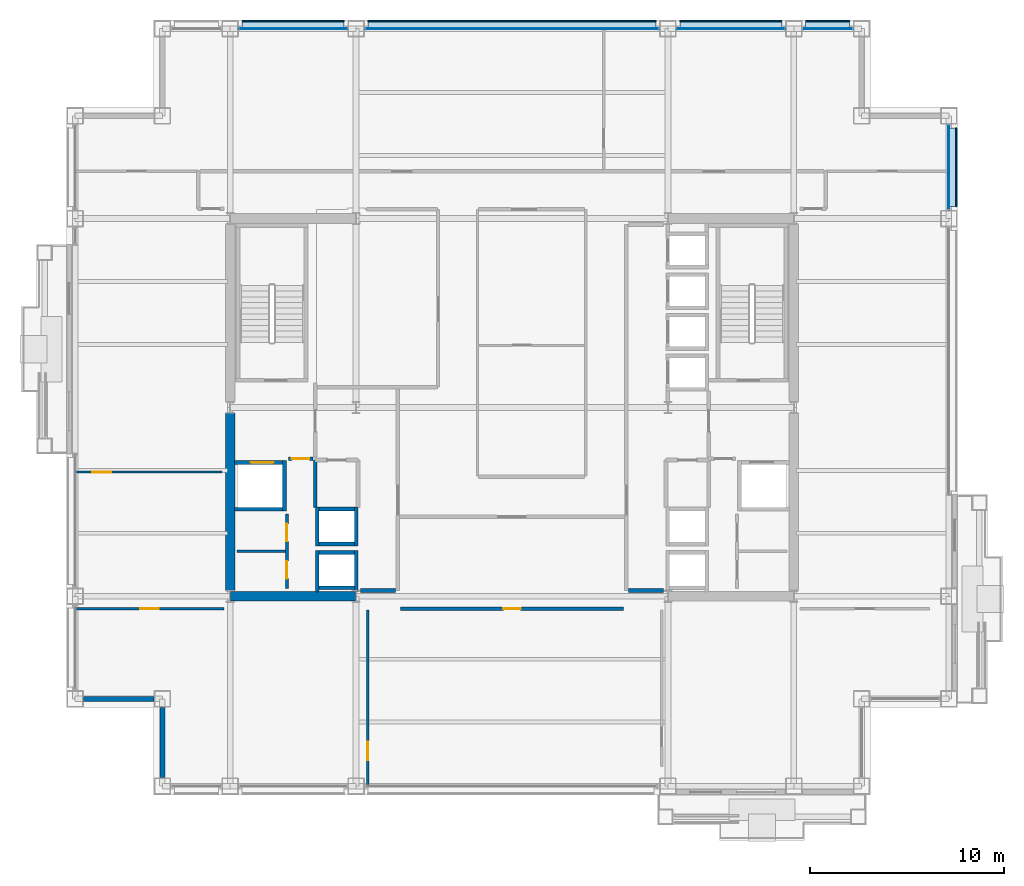
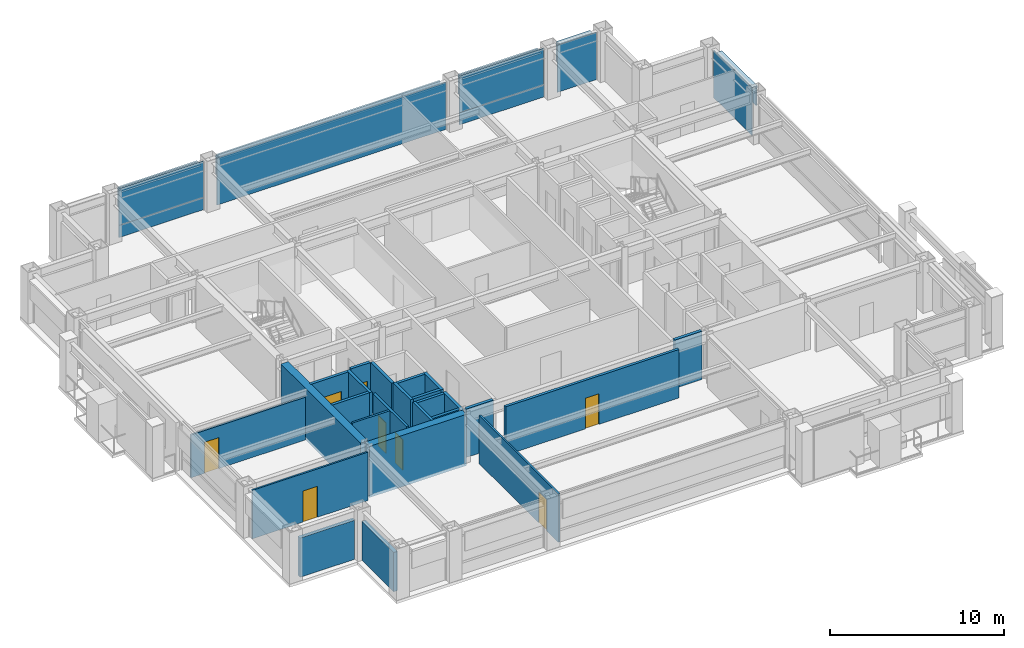
# One storey, part 23 of 29: 25 walls, 17 plates, 8 doors, 8 openings, 5 elements without a shape of their own.
"""IFC4 building model written with IfcOpenShell, lengths in metres."""

from ifc_helpers import new_model, si_unit, direction, frame, frame_2d, origin, origin_2d, place, context, subcontext, project, spatial, rectangle, extrude, material, layer, layer_set, type_object, element, fill, aggregate, save


model = new_model("IFC4")

# Units and contexts
model_context = context("Model", 3, precision=1e-05, world=origin(), true_north=direction((0.0, 1.0)))
body_context = subcontext(model_context, "Body", "Model", "MODEL_VIEW")
ifc_project = project(units=[si_unit("LENGTHUNIT", "METRE"), si_unit("AREAUNIT", "SQUARE_METRE"), si_unit("VOLUMEUNIT", "CUBIC_METRE"), si_unit("PLANEANGLEUNIT", "RADIAN"), si_unit("MASSUNIT", "GRAM", prefix="KILO")], contexts=[model_context])

# Site, building, storey
site_placement = place(None, origin())
site = spatial("IfcSite", under=ifc_project, at=site_placement, CompositionType="ELEMENT")
building_placement = place(site_placement, origin())
building = spatial("IfcBuilding", under=site, at=building_placement, Name="Brelmoor Portico Tower", CompositionType="ELEMENT")
storey_placement = place(building_placement, frame((0.0, 0.0, 95.39990234375)))
storey = spatial("IfcBuildingStorey", under=building, at=storey_placement, Name="L24", CompositionType="ELEMENT", Elevation=95.39990234375)

# Curtain wall, plate
ifc_material_1 = material(Name="Anodised Aluminium Alloy 6063-T6", Category="aluminium")
ifc_layer_1 = layer(ifc_material_1, 0.179931640625)
ifc_layer_set_1 = layer_set([ifc_layer_1], Name="Anodised Aluminium Alloy 6063-T6")
curtain_wall_type_1 = type_object("IfcCurtainWallType", Name="CW-TOWER-Z2", PredefinedType="NOTDEFINED", material=ifc_layer_set_1)
curtain_wall_1_placement = place(storey_placement, origin())
curtain_wall_1 = element("IfcCurtainWall", 1, at=curtain_wall_1_placement, inside=storey, type_object=curtain_wall_type_1, Name="L24 Curtain Wall CW-L24-02-2", PredefinedType="NOTDEFINED")
ifc_material_2 = material(Name="Double-Silver Low-E Insulated Glazing", Category="glass")
ifc_layer_2 = layer(ifc_material_2, 0.035888671875)
ifc_layer_set_2 = layer_set([ifc_layer_2], Name="Double-Silver Low-E Insulated Glazing")
plate_type_1 = type_object("IfcPlateType", Name="PT-CW-GLASS", PredefinedType="CURTAIN_PANEL", material=ifc_layer_set_2)
plate_1_placement = place(storey_placement, frame((-11.300048828125, 19.550048828125, 0.85009765625), z_axis=(0.0, 0.0, 1.0), x_axis=(1.0, 0.0, 0.0)))
plate_1 = element("IfcPlate", 2, at=plate_1_placement, type_object=plate_type_1, Name="CW-L24-02-2 Vision Glass Panel 00", PredefinedType="CURTAIN_PANEL", context=body_context, shape_type="SweptSolid", body=[
    extrude(rectangle(XDim=5.60009765625, YDim=0.035888671875, at=origin_2d()), origin(), (0.0, 0.0, 1.0), 2.550048828125),
])

curtain_wall_2_placement = place(storey_placement, origin())
curtain_wall_2 = element("IfcCurtainWall", 3, at=curtain_wall_2_placement, inside=storey, type_object=curtain_wall_type_1, Name="L24 Curtain Wall CW-L24-02-4", PredefinedType="NOTDEFINED")
plate_2_placement = place(storey_placement, frame((11.300048828125, 19.550048828125, 0.85009765625), z_axis=(0.0, 0.0, 1.0), x_axis=(1.0, 0.0, 0.0)))
plate_2 = element("IfcPlate", 4, at=plate_2_placement, type_object=plate_type_1, Name="CW-L24-02-4 Vision Glass Panel 00", PredefinedType="CURTAIN_PANEL", context=body_context, shape_type="SweptSolid", body=[
    extrude(rectangle(XDim=5.60009765625, YDim=0.035888671875, at=origin_2d()), origin(), (0.0, 0.0, 1.0), 2.550048828125),
])

# Plate
ifc_material_3 = material(Name="Pale Champagne Anodised Aluminium Panel", Category="aluminium")
ifc_layer_3 = layer(ifc_material_3, 0.050048828125)
ifc_layer_set_3 = layer_set([ifc_layer_3], Name="Pale Champagne Anodised Aluminium Panel")
plate_type_2 = type_object("IfcPlateType", Name="PT-CW-SPANDREL", PredefinedType="SHEET", material=ifc_layer_set_3)
plate_3_placement = place(storey_placement, frame((-11.300048828125, 19.550048828125, 0.0), z_axis=(0.0, 0.0, 1.0), x_axis=(1.0, 0.0, 0.0)))
plate_3 = element("IfcPlate", 5, at=plate_3_placement, type_object=plate_type_2, Name="CW-L24-02-2 Spandrel Panel 00", PredefinedType="SHEET", context=body_context, shape_type="SweptSolid", body=[
    extrude(rectangle(XDim=5.60009765625, YDim=0.050048828125, at=origin_2d()), origin(), (0.0, 0.0, 1.0), 0.85009765625),
])

aggregate(curtain_wall_1, [plate_3, plate_1])

# Curtain wall, plate
ifc_layer_4 = layer(ifc_material_1, 0.179931640625)
ifc_layer_set_4 = layer_set([ifc_layer_4], Name="Anodised Aluminium Alloy 6063-T6")
curtain_wall_type_2 = type_object("IfcCurtainWallType", Name="CW-TOWER-Z2-XB", PredefinedType="NOTDEFINED", material=ifc_layer_set_4)
curtain_wall_3_placement = place(storey_placement, origin())
curtain_wall_3 = element("IfcCurtainWall", 6, at=curtain_wall_3_placement, inside=storey, type_object=curtain_wall_type_2, Name="L24 Curtain Wall CW-L24-02-3", PredefinedType="NOTDEFINED")
plate_4_placement = place(storey_placement, frame((0.0, 19.550048828125, 0.0), z_axis=(0.0, 0.0, 1.0), x_axis=(1.0, 0.0, 0.0)))
plate_4 = element("IfcPlate", 7, at=plate_4_placement, type_object=plate_type_2, Name="CW-L24-02-3 Spandrel Panel 00", PredefinedType="SHEET", context=body_context, shape_type="SweptSolid", body=[
    extrude(rectangle(XDim=15.199951171875, YDim=0.050048828125, at=origin_2d()), origin(), (0.0, 0.0, 1.0), 3.330078125),
])
aggregate(curtain_wall_3, [plate_4])

# Plate
plate_5_placement = place(storey_placement, frame((11.300048828125, 19.550048828125, 0.0), z_axis=(0.0, 0.0, 1.0), x_axis=(1.0, 0.0, 0.0)))
plate_5 = element("IfcPlate", 8, at=plate_5_placement, type_object=plate_type_2, Name="CW-L24-02-4 Spandrel Panel 00", PredefinedType="SHEET", context=body_context, shape_type="SweptSolid", body=[
    extrude(rectangle(XDim=5.60009765625, YDim=0.050048828125, at=origin_2d()), origin(), (0.0, 0.0, 1.0), 0.85009765625),
])

aggregate(curtain_wall_2, [plate_5, plate_2])

# Curtain wall, plate
curtain_wall_4_placement = place(storey_placement, origin())
curtain_wall_4 = element("IfcCurtainWall", 9, at=curtain_wall_4_placement, inside=storey, type_object=curtain_wall_type_2, Name="L24 Curtain Wall CW-L24-02-5", PredefinedType="NOTDEFINED")
plate_6_placement = place(storey_placement, frame((16.300048828125, 19.550048828125, 0.0), z_axis=(0.0, 0.0, 1.0), x_axis=(1.0, 0.0, 0.0)))
plate_6 = element("IfcPlate", 10, at=plate_6_placement, type_object=plate_type_2, Name="CW-L24-02-5 Spandrel Panel 00", PredefinedType="SHEET", context=body_context, shape_type="SweptSolid", body=[
    extrude(rectangle(XDim=2.60009765625, YDim=0.050048828125, at=origin_2d()), origin(), (0.0, 0.0, 1.0), 3.330078125),
])
aggregate(curtain_wall_4, [plate_6])

curtain_wall_5_placement = place(storey_placement, origin())
curtain_wall_5 = element("IfcCurtainWall", 11, at=curtain_wall_5_placement, inside=storey, type_object=curtain_wall_type_2, Name="L24 Curtain Wall CW-L24-4R-2", PredefinedType="NOTDEFINED")
plate_7_placement = place(storey_placement, frame((22.550048828125, 12.39990234375, 0.0), z_axis=(0.0, 0.0, 1.0), x_axis=(0.0, 1.0, 0.0)))
plate_7 = element("IfcPlate", 12, at=plate_7_placement, type_object=plate_type_2, Name="CW-L24-4R-2 Spandrel Panel 00", PredefinedType="SHEET", context=body_context, shape_type="SweptSolid", body=[
    extrude(rectangle(XDim=4.39990234375, YDim=0.050048828125, at=origin_2d()), origin(), (0.0, 0.0, 1.0), 3.330078125),
])
aggregate(curtain_wall_5, [plate_7])

# Plates
ifc_material_4 = material(Name="Powder-Coated Aluminium Shuttered Jalousie Louvre", Category="aluminium")
ifc_layer_5 = layer(ifc_material_4, 0.06005859375)
ifc_layer_set_5 = layer_set([ifc_layer_5], Name="Powder-Coated Aluminium Shuttered Jalousie Louvre")
plate_type_3 = type_object("IfcPlateType", Name="PT-JALOUSIE-SHUTTER", PredefinedType="SHEET", material=ifc_layer_set_5)
plate_8_placement = place(storey_placement, frame((-11.300048828125, 19.929931640625, 1.8740234375), z_axis=(0.0, 0.0, 1.0), x_axis=(1.0, 0.0, 0.0)))
element("IfcPlate", 13, at=plate_8_placement, inside=storey, type_object=plate_type_3, Name="CW-L24-02-2 Perforated Jalousie Solar Screen", PredefinedType="SHEET", context=body_context, shape_type="SweptSolid", body=[
    extrude(rectangle(XDim=5.27001953125, YDim=0.06494140625, at=origin_2d()), origin(), (0.0, 0.0, 1.0), 1.325927734375),
])
plate_9_placement = place(storey_placement, frame((0.0, 19.929931640625, 1.8740234375), z_axis=(0.0, 0.0, 1.0), x_axis=(1.0, 0.0, 0.0)))
element("IfcPlate", 14, at=plate_9_placement, inside=storey, type_object=plate_type_3, Name="CW-L24-02-3 Perforated Jalousie Solar Screen", PredefinedType="SHEET", context=body_context, shape_type="SweptSolid", body=[
    extrude(rectangle(XDim=14.8701171875, YDim=0.06494140625, at=origin_2d()), origin(), (0.0, 0.0, 1.0), 1.325927734375),
])
plate_10_placement = place(storey_placement, frame((11.300048828125, 19.929931640625, 1.8740234375), z_axis=(0.0, 0.0, 1.0), x_axis=(1.0, 0.0, 0.0)))
element("IfcPlate", 15, at=plate_10_placement, inside=storey, type_object=plate_type_3, Name="CW-L24-02-4 Perforated Jalousie Solar Screen", PredefinedType="SHEET", context=body_context, shape_type="SweptSolid", body=[
    extrude(rectangle(XDim=5.27001953125, YDim=0.06494140625, at=origin_2d()), origin(), (0.0, 0.0, 1.0), 1.325927734375),
])
plate_11_placement = place(storey_placement, frame((16.300048828125, 19.929931640625, 1.8740234375), z_axis=(0.0, 0.0, 1.0), x_axis=(1.0, 0.0, 0.0)))
element("IfcPlate", 16, at=plate_11_placement, inside=storey, type_object=plate_type_3, Name="CW-L24-02-5 Perforated Jalousie Solar Screen", PredefinedType="SHEET", context=body_context, shape_type="SweptSolid", body=[
    extrude(rectangle(XDim=2.27001953125, YDim=0.06494140625, at=origin_2d()), origin(), (0.0, 0.0, 1.0), 1.325927734375),
])
plate_12_placement = place(storey_placement, frame((22.929931640625, 12.39990234375, 1.8740234375), z_axis=(0.0, 0.0, 1.0), x_axis=(0.0, 1.0, 0.0)))
element("IfcPlate", 17, at=plate_12_placement, inside=storey, type_object=plate_type_3, Name="CW-L24-4R-2 Perforated Jalousie Solar Screen", PredefinedType="SHEET", context=body_context, shape_type="SweptSolid", body=[
    extrude(rectangle(XDim=4.070068359375, YDim=0.06494140625, at=origin_2d()), origin(), (0.0, 0.0, 1.0), 1.325927734375),
])
ifc_material_5 = material(Name="Pale Champagne Perforated Aluminium Solar Screen", Category="aluminium")
ifc_layer_6 = layer(ifc_material_5, 0.054931640625)
ifc_layer_set_6 = layer_set([ifc_layer_6], Name="Pale Champagne Perforated Aluminium Solar Screen")
plate_type_4 = type_object("IfcPlateType", Name="PT-SOLAR-LOUVRE", PredefinedType="SHEET", material=ifc_layer_set_6)
plate_13_placement = place(storey_placement, frame((-11.300048828125, 19.760009765625, 3.09033203125), z_axis=(0.0, 0.0, 1.0), x_axis=(1.0, 0.0, 0.0)))
element("IfcPlate", 18, at=plate_13_placement, inside=storey, type_object=plate_type_4, Name="CW-L24-02-2 Caribbean Brise-Soleil Solar Screen", PredefinedType="SHEET", context=body_context, shape_type="SweptSolid", body=[
    extrude(rectangle(XDim=5.27001953125, YDim=0.4599609375, at=origin_2d()), origin(), (0.0, 0.0, 1.0), 0.139892578125),
])
plate_14_placement = place(storey_placement, frame((0.0, 19.760009765625, 3.09033203125), z_axis=(0.0, 0.0, 1.0), x_axis=(1.0, 0.0, 0.0)))
element("IfcPlate", 19, at=plate_14_placement, inside=storey, type_object=plate_type_4, Name="CW-L24-02-3 Caribbean Brise-Soleil Solar Screen", PredefinedType="SHEET", context=body_context, shape_type="SweptSolid", body=[
    extrude(rectangle(XDim=14.8701171875, YDim=0.4599609375, at=origin_2d()), origin(), (0.0, 0.0, 1.0), 0.139892578125),
])
plate_15_placement = place(storey_placement, frame((11.300048828125, 19.760009765625, 3.09033203125), z_axis=(0.0, 0.0, 1.0), x_axis=(1.0, 0.0, 0.0)))
element("IfcPlate", 20, at=plate_15_placement, inside=storey, type_object=plate_type_4, Name="CW-L24-02-4 Caribbean Brise-Soleil Solar Screen", PredefinedType="SHEET", context=body_context, shape_type="SweptSolid", body=[
    extrude(rectangle(XDim=5.27001953125, YDim=0.4599609375, at=origin_2d()), origin(), (0.0, 0.0, 1.0), 0.139892578125),
])
plate_16_placement = place(storey_placement, frame((16.300048828125, 19.760009765625, 3.09033203125), z_axis=(0.0, 0.0, 1.0), x_axis=(1.0, 0.0, 0.0)))
element("IfcPlate", 21, at=plate_16_placement, inside=storey, type_object=plate_type_4, Name="CW-L24-02-5 Caribbean Brise-Soleil Solar Screen", PredefinedType="SHEET", context=body_context, shape_type="SweptSolid", body=[
    extrude(rectangle(XDim=2.27001953125, YDim=0.4599609375, at=origin_2d()), origin(), (0.0, 0.0, 1.0), 0.139892578125),
])
plate_17_placement = place(storey_placement, frame((22.760009765625, 12.39990234375, 3.09033203125), z_axis=(0.0, 0.0, 1.0), x_axis=(0.0, 1.0, 0.0)))
element("IfcPlate", 22, at=plate_17_placement, inside=storey, type_object=plate_type_4, Name="CW-L24-4R-2 Caribbean Brise-Soleil Solar Screen", PredefinedType="SHEET", context=body_context, shape_type="SweptSolid", body=[
    extrude(rectangle(XDim=4.070068359375, YDim=0.4599609375, at=origin_2d()), origin(), (0.0, 0.0, 1.0), 0.139892578125),
])

# Walls
ifc_material_6 = material(Name="Concrete C60", Category="concrete")
ifc_layer_7 = layer(ifc_material_6, 0.5)
ifc_layer_set_7 = layer_set([ifc_layer_7], Name="Concrete C60")
wall_type_1 = type_object("IfcWallType", Name="WL-CORE-500", PredefinedType="SHEAR", material=ifc_layer_set_7)
wall_1_placement = place(storey_placement, frame((-14.530029296875, -9.75, -0.199951171875), z_axis=(0.0, 0.0, 1.0), x_axis=(1.0, 0.0, 0.0)))
element("IfcWall", 23, at=wall_1_placement, inside=storey, type_object=wall_type_1, Name="L24 WC South Shear Wall", PredefinedType="SHEAR", context=body_context, shape_type="SweptSolid", body=[
    extrude(rectangle(XDim=6.4599609375, YDim=0.5, at=frame_2d((3.22998046875, 0.0))), origin(), (0.0, 0.0, 1.0), 3.60009765625),
])
wall_2_placement = place(storey_placement, frame((-14.550048828125, -9.449951171875, -0.199951171875), z_axis=(0.0, 0.0, 1.0), x_axis=(0.0, 1.0, 0.0)))
element("IfcWall", 24, at=wall_2_placement, inside=storey, type_object=wall_type_1, Name="L24 WC Outer South Shear Wall", PredefinedType="SHEAR", context=body_context, shape_type="SweptSolid", body=[
    extrude(rectangle(XDim=9.14990234375, YDim=0.5, at=frame_2d((4.574951171875, 0.0))), origin(), (0.0, 0.0, 1.0), 3.60009765625),
])
ifc_material_7 = material(Name="Precast Concrete C40 Insulated Facade Wall", Category="concrete")
ifc_layer_8 = layer(ifc_material_7, 0.25)
ifc_layer_set_8 = layer_set([ifc_layer_8], Name="Precast Concrete C40 Insulated Facade Wall")
wall_type_2 = type_object("IfcWallType", Name="WL-EXT-250", PredefinedType="STANDARD", material=ifc_layer_set_8)
for number, where, z_axis, x_axis, name in (
    (25, (-22.114990234375, -15.050048828125, 0.0), (0.0, 0.0, 1.0), (1.0, 0.0, 0.0), "L24 Corner Notch Facade Wall NSWH1"),
    (26, (-18.050048828125, -19.114990234375, 0.0), (0.0, 0.0, 1.0), (0.0, 1.0, 0.0), "L24 Corner Notch Facade Wall NSWV1"),
):
    element("IfcWall", number, at=place(storey_placement, frame(where, z_axis=z_axis, x_axis=x_axis)), inside=storey, type_object=wall_type_2, Name=name, PredefinedType="STANDARD", context=body_context, shape_type="SweptSolid", body=[
        extrude(rectangle(XDim=3.6298828125, YDim=0.25, at=frame_2d((1.81494140625, 0.0))), origin(), (0.0, 0.0, 1.0), 2.75),
    ])

# Wall, opening, door
ifc_material_8 = material(Name="Lightweight Gypsum Office Partition", Category="gypsum")
ifc_layer_9 = layer(ifc_material_8, 0.1201171875)
ifc_layer_set_9 = layer_set([ifc_layer_9], Name="Lightweight Gypsum Office Partition")
wall_type_3 = type_object("IfcWallType", Name="WL-PART-120", PredefinedType="PARTITIONING", material=ifc_layer_set_9)
wall_3_placement = place(storey_placement, frame((-7.4404296875, -19.56005859375, 0.0), z_axis=(0.0, 0.0, 1.0), x_axis=(0.0, 1.0, 0.0)))
wall_3 = element("IfcWall", 27, at=wall_3_placement, inside=storey, type_object=wall_type_3, Name="L24 South Suite Partition 1", PredefinedType="PARTITIONING", context=body_context, shape_type="SweptSolid", body=[
    extrude(rectangle(XDim=9.10009765625, YDim=0.1201171875, at=frame_2d((4.550048828125, 0.0))), origin(), (0.0, 0.0, 1.0), 3.400146484375),
])
opening_1_placement = place(wall_3_placement, frame((1.340087890625, 0.0, 0.0)))
opening_1 = element("IfcOpeningElement", 28, at=opening_1_placement, cuts=wall_3, Name="Opening D-IN2", PredefinedType="OPENING", context=body_context, shape_type="SweptSolid", body=[
    extrude(rectangle(XDim=0.9599609375, YDim=2.179931640625, at=frame_2d((0.47998046875, 1.08984375))), frame((0.0, 0.070068359375, 0.0), z_axis=(0.0, -1.0, 0.0), x_axis=(1.0, 0.0, 0.0)), (0.0, 0.0, 1.0), 0.14013671875),
])
ifc_material_9 = material(Name="Lacquered Timber Suite Door", Category="wood")
door_type_1 = type_object("IfcDoorType", Name="DR-INT-950", OperationType="NOTDEFINED", PredefinedType="DOOR", material=ifc_material_9)
door_1_placement = place(opening_1_placement, origin())
door_1 = element("IfcDoor", 29, at=door_1_placement, inside=storey, type_object=door_type_1, Name="D-1074 L24 South Suite Connecting Door 1", OperationType="SINGLE_SWING_RIGHT", OverallHeight=2.179931640625, OverallWidth=0.9599609375, PredefinedType="DOOR", context=body_context, shape_type="SweptSolid", body=[
    extrude(rectangle(XDim=0.9599609375, YDim=2.179931640625, at=frame_2d((0.47998046875, 1.08984375))), frame((0.0, 0.02490234375, 0.0), z_axis=(0.0, -1.0, 0.0), x_axis=(1.0, 0.0, 0.0)), (0.0, 0.0, 1.0), 0.050048828125),
])
fill(opening_1, door_1)

wall_4_placement = place(storey_placement, frame((-22.56005859375, -10.39990234375, 0.0), z_axis=(0.0, 0.0, 1.0), x_axis=(1.0, 0.0, 0.0)))
wall_4 = element("IfcWall", 30, at=wall_4_placement, inside=storey, type_object=wall_type_3, Name="L24 South Wing Closure WL", PredefinedType="PARTITIONING", context=body_context, shape_type="SweptSolid", body=[
    extrude(rectangle(XDim=7.68017578125, YDim=0.1201171875, at=frame_2d((3.840087890625, 0.0))), origin(), (0.0, 0.0, 1.0), 3.400146484375),
])
opening_2_placement = place(wall_4_placement, frame((3.360107421875, 0.0, 0.0)))
opening_2 = element("IfcOpeningElement", 31, at=opening_2_placement, cuts=wall_4, Name="Opening D-IN2", PredefinedType="OPENING", context=body_context, shape_type="SweptSolid", body=[
    extrude(rectangle(XDim=0.9599609375, YDim=2.179931640625, at=frame_2d((0.47998046875, 1.08984375))), frame((0.0, 0.070068359375, 0.0), z_axis=(0.0, -1.0, 0.0), x_axis=(1.0, 0.0, 0.0)), (0.0, 0.0, 1.0), 0.14013671875),
])
door_2_placement = place(opening_2_placement, origin())
door_2 = element("IfcDoor", 32, at=door_2_placement, inside=storey, type_object=door_type_1, Name="D-1079 L24 WL Wing South Suite Door", OperationType="SINGLE_SWING_LEFT", OverallHeight=2.179931640625, OverallWidth=0.9599609375, PredefinedType="DOOR", context=body_context, shape_type="SweptSolid", body=[
    extrude(rectangle(XDim=0.9599609375, YDim=2.179931640625, at=frame_2d((0.47998046875, 1.08984375))), frame((0.0, 0.02490234375, 0.0), z_axis=(0.0, -1.0, 0.0), x_axis=(1.0, 0.0, 0.0)), (0.0, 0.0, 1.0), 0.050048828125),
])
fill(opening_2, door_2)

wall_5_placement = place(storey_placement, frame((-22.56005859375, -3.33642578125, 0.0), z_axis=(0.0, 0.0, 1.0), x_axis=(1.0, 0.0, 0.0)))
wall_5 = element("IfcWall", 33, at=wall_5_placement, inside=storey, type_object=wall_type_3, Name="L24 W Wing Partition 1", PredefinedType="PARTITIONING", context=body_context, shape_type="SweptSolid", body=[
    extrude(rectangle(XDim=7.60009765625, YDim=0.1201171875, at=frame_2d((3.800048828125, 0.0))), origin(), (0.0, 0.0, 1.0), 3.0),
])
opening_3_placement = place(wall_5_placement, frame((0.89990234375, 0.0, 0.0)))
opening_3 = element("IfcOpeningElement", 34, at=opening_3_placement, cuts=wall_5, Name="Opening D-IN2", PredefinedType="OPENING", context=body_context, shape_type="SweptSolid", body=[
    extrude(rectangle(XDim=0.9599609375, YDim=2.179931640625, at=frame_2d((0.47998046875, 1.08984375))), frame((0.0, 0.070068359375, 0.0), z_axis=(0.0, -1.0, 0.0), x_axis=(1.0, 0.0, 0.0)), (0.0, 0.0, 1.0), 0.14013671875),
])
door_3_placement = place(opening_3_placement, origin())
door_3 = element("IfcDoor", 35, at=door_3_placement, inside=storey, type_object=door_type_1, Name="D-1085 L24 W Wing Suite Connecting Door 1", OperationType="SINGLE_SWING_RIGHT", OverallHeight=2.179931640625, OverallWidth=0.9599609375, PredefinedType="DOOR", context=body_context, shape_type="SweptSolid", body=[
    extrude(rectangle(XDim=0.9599609375, YDim=2.179931640625, at=frame_2d((0.47998046875, 1.08984375))), frame((0.0, 0.02490234375, 0.0), z_axis=(0.0, -1.0, 0.0), x_axis=(1.0, 0.0, 0.0)), (0.0, 0.0, 1.0), 0.050048828125),
])
fill(opening_3, door_3)

# Wall
ifc_material_10 = material(Name="Insulated Stud Suite Partition", Category="gypsum")
ifc_layer_10 = layer(ifc_material_10, 0.139892578125)
ifc_layer_set_10 = layer_set([ifc_layer_10], Name="Insulated Stud Suite Partition")
wall_type_4 = type_object("IfcWallType", Name="WL-PART-140", PredefinedType="PARTITIONING", material=ifc_layer_set_10)
wall_6_placement = place(storey_placement, frame((-11.699951171875, -7.425048828125, 0.0), z_axis=(0.0, 0.0, 1.0), x_axis=(-1.0, 0.0, 0.0)))
element("IfcWall", 36, at=wall_6_placement, inside=storey, type_object=wall_type_4, Name="L24 W Core WC Divider 1", PredefinedType="PARTITIONING", context=body_context, shape_type="SweptSolid", body=[
    extrude(rectangle(XDim=2.5, YDim=0.139892578125, at=frame_2d((1.25, 0.0))), origin(), (0.0, 0.0, 1.0), 3.400146484375),
])

# Wall, openings, doors
ifc_material_11 = material(Name="Twin-Frame Acoustic Partition", Category="gypsum")
ifc_layer_11 = layer(ifc_material_11, 0.159912109375)
ifc_layer_set_11 = layer_set([ifc_layer_11], Name="Twin-Frame Acoustic Partition")
wall_type_5 = type_object("IfcWallType", Name="WL-PART-160", PredefinedType="PARTITIONING", material=ifc_layer_set_11)
wall_7_placement = place(storey_placement, frame((-11.6201171875, -9.35009765625, 0.0), z_axis=(0.0, 0.0, 1.0), x_axis=(0.0, 1.0, 0.0)))
wall_7 = element("IfcWall", 37, at=wall_7_placement, inside=storey, type_object=wall_type_5, Name="L24 W Core Service Front Wall", PredefinedType="PARTITIONING", context=body_context, shape_type="SweptSolid", body=[
    extrude(rectangle(XDim=3.85009765625, YDim=0.159912109375, at=frame_2d((1.925048828125, 0.0))), origin(), (0.0, 0.0, 1.0), 3.400146484375),
])
opening_4_placement = place(wall_7_placement, frame((0.512451171875, 0.0, 0.0)))
opening_4 = element("IfcOpeningElement", 38, at=opening_4_placement, cuts=wall_7, Name="Opening D-IN1", PredefinedType="OPENING", context=body_context, shape_type="SweptSolid", body=[
    extrude(rectangle(XDim=0.89990234375, YDim=2.14990234375, at=frame_2d((0.449951171875, 1.074951171875))), frame((0.0, 0.08984375, 0.0), z_axis=(0.0, -1.0, 0.0), x_axis=(1.0, 0.0, 0.0)), (0.0, 0.0, 1.0), 0.179931640625),
])
opening_5_placement = place(wall_7_placement, frame((2.4375, 0.0, 0.0)))
opening_5 = element("IfcOpeningElement", 39, at=opening_5_placement, cuts=wall_7, Name="Opening D-IN1", PredefinedType="OPENING", context=body_context, shape_type="SweptSolid", body=[
    extrude(rectangle(XDim=0.89990234375, YDim=2.14990234375, at=frame_2d((0.449951171875, 1.074951171875))), frame((0.0, 0.08984375, 0.0), z_axis=(0.0, -1.0, 0.0), x_axis=(1.0, 0.0, 0.0)), (0.0, 0.0, 1.0), 0.179931640625),
])
door_type_2 = type_object("IfcDoorType", Name="DR-INT-900", OperationType="NOTDEFINED", PredefinedType="DOOR", material=ifc_material_9)
door_4_placement = place(opening_4_placement, origin())
door_4 = element("IfcDoor", 40, at=door_4_placement, inside=storey, type_object=door_type_2, Name="D-1059 L24 W Accessible WC Door", OperationType="SINGLE_SWING_LEFT", OverallHeight=2.14990234375, OverallWidth=0.89990234375, PredefinedType="DOOR", context=body_context, shape_type="SweptSolid", body=[
    extrude(rectangle(XDim=0.89990234375, YDim=2.14990234375, at=frame_2d((0.449951171875, 1.074951171875))), frame((0.0, 0.02490234375, 0.0), z_axis=(0.0, -1.0, 0.0), x_axis=(1.0, 0.0, 0.0)), (0.0, 0.0, 1.0), 0.050048828125),
])
fill(opening_4, door_4)
door_5_placement = place(opening_5_placement, origin())
door_5 = element("IfcDoor", 41, at=door_5_placement, inside=storey, type_object=door_type_2, Name="D-1060 L24 W Staff WC Door", OperationType="SINGLE_SWING_RIGHT", OverallHeight=2.14990234375, OverallWidth=0.89990234375, PredefinedType="DOOR", context=body_context, shape_type="SweptSolid", body=[
    extrude(rectangle(XDim=0.89990234375, YDim=2.14990234375, at=frame_2d((0.449951171875, 1.074951171875))), frame((0.0, 0.02490234375, 0.0), z_axis=(0.0, -1.0, 0.0), x_axis=(1.0, 0.0, 0.0)), (0.0, 0.0, 1.0), 0.050048828125),
])
fill(opening_5, door_5)

# Wall, opening, door
ifc_material_12 = material(Name="Acoustic Corridor Fire Partition", Category="gypsum")
ifc_layer_12 = layer(ifc_material_12, 0.179931640625)
ifc_layer_set_12 = layer_set([ifc_layer_12], Name="Acoustic Corridor Fire Partition")
wall_type_6 = type_object("IfcWallType", Name="WL-PART-180", PredefinedType="PARTITIONING", material=ifc_layer_set_12)
wall_8_placement = place(storey_placement, frame((-5.75, -10.39990234375, 0.0), z_axis=(0.0, 0.0, 1.0), x_axis=(1.0, 0.0, 0.0)))
wall_8 = element("IfcWall", 42, at=wall_8_placement, inside=storey, type_object=wall_type_6, Name="L24 South Corridor Partition", PredefinedType="PARTITIONING", context=body_context, shape_type="SweptSolid", body=[
    extrude(rectangle(XDim=11.5, YDim=0.179931640625, at=frame_2d((5.75, 0.0))), origin(), (0.0, 0.0, 1.0), 3.400146484375),
])
opening_6_placement = place(wall_8_placement, frame((5.300048828125, 0.0, 0.0)))
opening_6 = element("IfcOpeningElement", 43, at=opening_6_placement, cuts=wall_8, Name="Opening D-IN1", PredefinedType="OPENING", context=body_context, shape_type="SweptSolid", body=[
    extrude(rectangle(XDim=0.89990234375, YDim=2.14990234375, at=frame_2d((0.449951171875, 1.074951171875))), frame((0.0, 0.099853515625, 0.0), z_axis=(0.0, -1.0, 0.0), x_axis=(1.0, 0.0, 0.0)), (0.0, 0.0, 1.0), 0.199951171875),
])
door_6_placement = place(opening_6_placement, origin())
door_6 = element("IfcDoor", 44, at=door_6_placement, inside=storey, type_object=door_type_2, Name="D-1073 L24 South Open-Plan Office 2 Door", OperationType="SINGLE_SWING_RIGHT", OverallHeight=2.14990234375, OverallWidth=0.89990234375, PredefinedType="DOOR", context=body_context, shape_type="SweptSolid", body=[
    extrude(rectangle(XDim=0.89990234375, YDim=2.14990234375, at=frame_2d((0.449951171875, 1.074951171875))), frame((0.0, 0.02490234375, 0.0), z_axis=(0.0, -1.0, 0.0), x_axis=(1.0, 0.0, 0.0)), (0.0, 0.0, 1.0), 0.050048828125),
])
fill(opening_6, door_6)

# Wall
ifc_material_13 = material(Name="Double-Stud Gypsum Fire Partition", Category="gypsum")
ifc_layer_13 = layer(ifc_material_13, 0.199951171875)
ifc_layer_set_13 = layer_set([ifc_layer_13], Name="Double-Stud Gypsum Fire Partition")
wall_type_7 = type_object("IfcWallType", Name="WL-PART-200", PredefinedType="PARTITIONING", material=ifc_layer_set_13)
wall_9_placement = place(storey_placement, frame((-6.02001953125, -9.449951171875, 0.0), z_axis=(0.0, 0.0, 1.0), x_axis=(-1.0, 0.0, 0.0)))
element("IfcWall", 45, at=wall_9_placement, inside=storey, type_object=wall_type_7, Name="L24 W Lift Lobby South End Wall", PredefinedType="PARTITIONING", context=body_context, shape_type="SweptSolid", body=[
    extrude(rectangle(XDim=1.800048828125, YDim=0.199951171875, at=frame_2d((0.89990234375, 0.0))), origin(), (0.0, 0.0, 1.0), 3.400146484375),
])

# Wall, opening, door
wall_10_placement = place(storey_placement, frame((-10.280029296875, -2.64990234375, 0.0), z_axis=(0.0, 0.0, 1.0), x_axis=(-1.0, 0.0, 0.0)))
wall_10 = element("IfcWall", 46, at=wall_10_placement, inside=storey, type_object=wall_type_7, Name="L24 W Firefighting Lobby South Wall", PredefinedType="PARTITIONING", context=body_context, shape_type="SweptSolid", body=[
    extrude(rectangle(XDim=1.27001953125, YDim=0.199951171875, at=frame_2d((0.635009765625, 0.0))), origin(), (0.0, 0.0, 1.0), 3.400146484375),
])
opening_7_placement = place(wall_10_placement, frame((0.18505859375, 0.0, 0.0)))
opening_7 = element("IfcOpeningElement", 47, at=opening_7_placement, cuts=wall_10, Name="Opening D-IN1", PredefinedType="OPENING", context=body_context, shape_type="SweptSolid", body=[
    extrude(rectangle(XDim=0.89990234375, YDim=2.14990234375, at=frame_2d((0.449951171875, 1.074951171875))), frame((0.0, 0.10986328125, 0.0), z_axis=(0.0, -1.0, 0.0), x_axis=(1.0, 0.0, 0.0)), (0.0, 0.0, 1.0), 0.219970703125),
])
door_7_placement = place(opening_7_placement, origin())
door_7 = element("IfcDoor", 48, at=door_7_placement, inside=storey, type_object=door_type_2, Name="D-1058 L24 W Core Service Vestibule Door", OperationType="SINGLE_SWING_LEFT", OverallHeight=2.14990234375, OverallWidth=0.89990234375, PredefinedType="DOOR", context=body_context, shape_type="SweptSolid", body=[
    extrude(rectangle(XDim=0.89990234375, YDim=2.14990234375, at=frame_2d((0.449951171875, 1.074951171875))), frame((0.0, 0.02490234375, 0.0), z_axis=(0.0, -1.0, 0.0), x_axis=(1.0, 0.0, 0.0)), (0.0, 0.0, 1.0), 0.050048828125),
])
fill(opening_7, door_7)

# Walls
wall_11_placement = place(storey_placement, frame((-10.159912109375, -5.159912109375, 0.0), z_axis=(0.0, 0.0, 1.0), x_axis=(0.0, 1.0, 0.0)))
element("IfcWall", 49, at=wall_11_placement, inside=storey, type_object=wall_type_7, Name="L24 W Electrical Switchgear Closet Outer Wall", PredefinedType="PARTITIONING", context=body_context, shape_type="SweptSolid", body=[
    extrude(rectangle(XDim=2.43994140625, YDim=0.199951171875, at=frame_2d((1.219970703125, 0.0))), origin(), (0.0, 0.0, 1.0), 3.400146484375),
])
wall_12_placement = place(storey_placement, frame((6.02001953125, -9.449951171875, 0.0), z_axis=(0.0, 0.0, 1.0), x_axis=(1.0, 0.0, 0.0)))
element("IfcWall", 50, at=wall_12_placement, inside=storey, type_object=wall_type_7, Name="L24 E Lift Lobby South End Wall", PredefinedType="PARTITIONING", context=body_context, shape_type="SweptSolid", body=[
    extrude(rectangle(XDim=1.800048828125, YDim=0.199951171875, at=frame_2d((0.89990234375, 0.0))), origin(), (0.0, 0.0, 1.0), 3.400146484375),
])
ifc_material_14 = material(Name="Precast Concrete C40", Category="concrete")
ifc_layer_14 = layer(ifc_material_14, 0.18994140625)
ifc_layer_set_14 = layer_set([ifc_layer_14], Name="Precast Concrete C40")
wall_type_8 = type_object("IfcWallType", Name="WL-SHAFT-180", PredefinedType="SOLIDWALL", material=ifc_layer_set_14)
for number, where, z_axis, x_axis, name in (
    (51, (-8.044921875, -9.52001953125, -0.199951171875), (0.0, 0.0, 1.0), (0.0, 1.0, 0.0), "L24 Lift PH1 Hoistway Front Wall"),
    (52, (-10.054931640625, -9.52001953125, -0.199951171875), (0.0, 0.0, 1.0), (0.0, 1.0, 0.0), "L24 Lift PH1 Hoistway Back Wall"),
):
    element("IfcWall", number, at=place(storey_placement, frame(where, z_axis=z_axis, x_axis=x_axis)), inside=storey, type_object=wall_type_8, Name=name, PredefinedType="SOLIDWALL", context=body_context, shape_type="SweptSolid", body=[
        extrude(rectangle(XDim=2.1201171875, YDim=0.18994140625, at=frame_2d((1.06005859375, 0.0))), origin(), (0.0, 0.0, 1.0), 3.60009765625),
    ])
for number, where, z_axis, x_axis, name in (
    (53, (-10.14990234375, -7.4951171875, -0.199951171875), (0.0, 0.0, 1.0), (1.0, 0.0, 0.0), "L24 Lift PH1 Hoistway North Wall"),
    (54, (-10.14990234375, -9.304931640625, -0.199951171875), (0.0, 0.0, 1.0), (1.0, 0.0, 0.0), "L24 Lift PH1 Hoistway South Wall"),
):
    element("IfcWall", number, at=place(storey_placement, frame(where, z_axis=z_axis, x_axis=x_axis)), inside=storey, type_object=wall_type_8, Name=name, PredefinedType="SOLIDWALL", context=body_context, shape_type="SweptSolid", body=[
        extrude(rectangle(XDim=2.199951171875, YDim=0.18994140625, at=frame_2d((1.10009765625, 0.0))), origin(), (0.0, 0.0, 1.0), 3.60009765625),
    ])
for number, where, z_axis, x_axis, name in (
    (55, (-8.044921875, -7.14990234375, -0.199951171875), (0.0, 0.0, 1.0), (0.0, 1.0, 0.0), "L24 Lift PH2 Hoistway Front Wall"),
    (56, (-10.054931640625, -7.14990234375, -0.199951171875), (0.0, 0.0, 1.0), (0.0, 1.0, 0.0), "L24 Lift PH2 Hoistway Back Wall"),
):
    element("IfcWall", number, at=place(storey_placement, frame(where, z_axis=z_axis, x_axis=x_axis)), inside=storey, type_object=wall_type_8, Name=name, PredefinedType="SOLIDWALL", context=body_context, shape_type="SweptSolid", body=[
        extrude(rectangle(XDim=2.0, YDim=0.18994140625, at=frame_2d((1.0, 0.0))), origin(), (0.0, 0.0, 1.0), 3.60009765625),
    ])
for number, where, z_axis, x_axis, name in (
    (57, (-10.14990234375, -5.2451171875, -0.199951171875), (0.0, 0.0, 1.0), (1.0, 0.0, 0.0), "L24 Lift PH2 Hoistway North Wall"),
    (58, (-10.14990234375, -7.054931640625, -0.199951171875), (0.0, 0.0, 1.0), (1.0, 0.0, 0.0), "L24 Lift PH2 Hoistway South Wall"),
):
    element("IfcWall", number, at=place(storey_placement, frame(where, z_axis=z_axis, x_axis=x_axis)), inside=storey, type_object=wall_type_8, Name=name, PredefinedType="SOLIDWALL", context=body_context, shape_type="SweptSolid", body=[
        extrude(rectangle(XDim=2.199951171875, YDim=0.18994140625, at=frame_2d((1.10009765625, 0.0))), origin(), (0.0, 0.0, 1.0), 3.60009765625),
    ])

# Wall, opening, door
wall_13_placement = place(storey_placement, frame((-14.330078125, -2.844970703125, -0.199951171875), z_axis=(0.0, 0.0, 1.0), x_axis=(1.0, 0.0, 0.0)))
wall_13 = element("IfcWall", 59, at=wall_13_placement, inside=storey, type_object=wall_type_8, Name="L24 Lift FF1 Hoistway Front Wall", PredefinedType="SOLIDWALL", context=body_context, shape_type="SweptSolid", body=[
    extrude(rectangle(XDim=2.68017578125, YDim=0.18994140625, at=frame_2d((1.340087890625, 0.0))), origin(), (0.0, 0.0, 1.0), 3.60009765625),
])
opening_8_placement = place(wall_13_placement, frame((0.830078125, 0.0, 0.199951171875)))
opening_8 = element("IfcOpeningElement", 60, at=opening_8_placement, cuts=wall_13, Name="Opening LD-02", PredefinedType="OPENING", context=body_context, shape_type="SweptSolid", body=[
    extrude(rectangle(XDim=1.199951171875, YDim=2.199951171875, at=frame_2d((0.60009765625, 1.10009765625))), frame((0.0, 0.10498046875, 0.0), z_axis=(0.0, -1.0, 0.0), x_axis=(1.0, 0.0, 0.0)), (0.0, 0.0, 1.0), 0.2099609375),
])
ifc_material_15 = material(Name="Brushed Stainless Steel Firefighting Lift Door", Category="steel")
door_type_3 = type_object("IfcDoorType", Name="DR-LIFT-1200", OperationType="NOTDEFINED", PredefinedType="DOOR", material=ifc_material_15)
door_8_placement = place(opening_8_placement, origin())
door_8 = element("IfcDoor", 61, at=door_8_placement, inside=storey, type_object=door_type_3, Name="D-1086 L24 Lift FF1 Sliding Landing Door", OperationType="SLIDING_TO_LEFT", OverallHeight=2.199951171875, OverallWidth=1.199951171875, PredefinedType="DOOR", context=body_context, shape_type="SweptSolid", body=[
    extrude(rectangle(XDim=1.199951171875, YDim=2.199951171875, at=frame_2d((0.60009765625, 1.10009765625))), frame((0.0, 0.02490234375, 0.0), z_axis=(0.0, -1.0, 0.0), x_axis=(1.0, 0.0, 0.0)), (0.0, 0.0, 1.0), 0.050048828125),
])
fill(opening_8, door_8)

# Walls
wall_14_placement = place(storey_placement, frame((-14.330078125, -5.2548828125, -0.199951171875), z_axis=(0.0, 0.0, 1.0), x_axis=(1.0, 0.0, 0.0)))
element("IfcWall", 62, at=wall_14_placement, inside=storey, type_object=wall_type_8, Name="L24 Firefighting Lift FF1 South Wall", PredefinedType="SOLIDWALL", context=body_context, shape_type="SweptSolid", body=[
    extrude(rectangle(XDim=2.68017578125, YDim=0.18994140625, at=frame_2d((1.340087890625, 0.0))), origin(), (0.0, 0.0, 1.0), 3.60009765625),
])
wall_15_placement = place(storey_placement, frame((-11.7451171875, -5.35009765625, -0.199951171875), z_axis=(0.0, 0.0, 1.0), x_axis=(0.0, 1.0, 0.0)))
element("IfcWall", 63, at=wall_15_placement, inside=storey, type_object=wall_type_8, Name="L24 Firefighting Lift FF1 Inner Wall", PredefinedType="SOLIDWALL", context=body_context, shape_type="SweptSolid", body=[
    extrude(rectangle(XDim=2.60009765625, YDim=0.18994140625, at=frame_2d((1.300048828125, 0.0))), origin(), (0.0, 0.0, 1.0), 3.60009765625),
])

save(model, "model.ifc")
